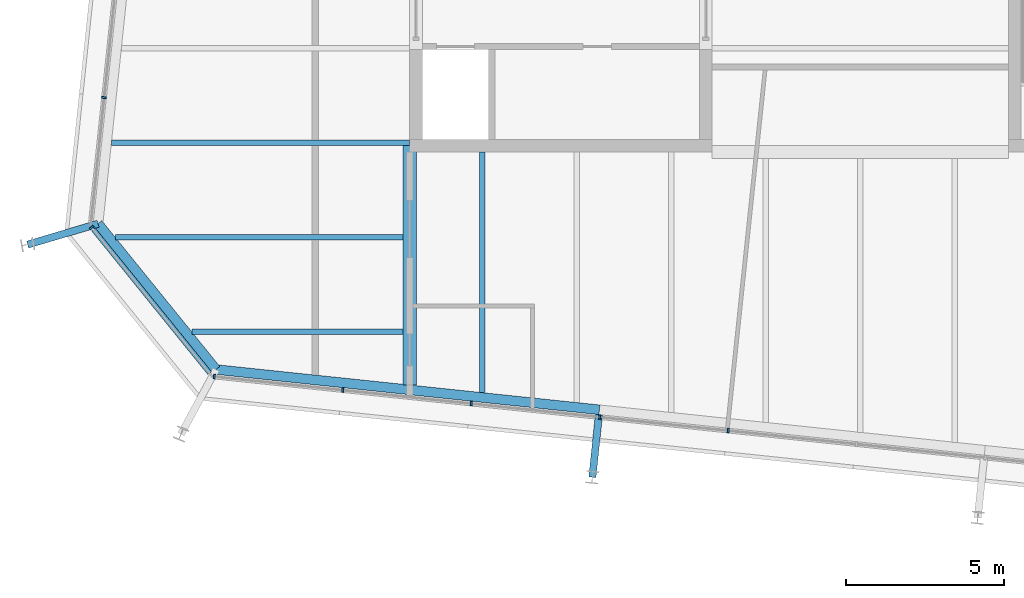
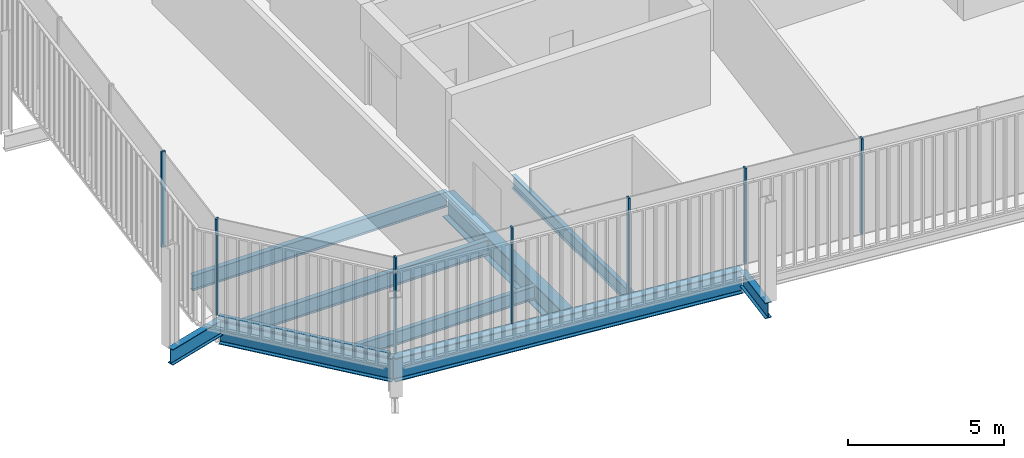
# One storey, part 3 of 20: 9 beams, 8 members, 3 elements without a shape of their own.
"""IFC4 building model written with IfcOpenShell, lengths in metres."""

from ifc_helpers import new_model, si_unit, direction, frame, origin, origin_2d, place, context, subcontext, project, spatial, rectangle, i_section, extrude, material, layer, layer_set, material_profile, profile_set, type_object, element, aggregate, save


model = new_model("IFC4")

# Units and contexts
model_context = context("Model", 3, precision=1e-05, world=origin(), true_north=direction((0.0, 1.0)))
body_context = subcontext(model_context, "Body", "Model", "MODEL_VIEW")
ifc_project = project(units=[si_unit("LENGTHUNIT", "METRE"), si_unit("AREAUNIT", "SQUARE_METRE"), si_unit("VOLUMEUNIT", "CUBIC_METRE"), si_unit("PLANEANGLEUNIT", "RADIAN"), si_unit("MASSUNIT", "GRAM", prefix="KILO")], contexts=[model_context])

# Site, building, storey
site_placement = place(None, origin())
site = spatial("IfcSite", under=ifc_project, at=site_placement, CompositionType="ELEMENT")
building_placement = place(site_placement, origin())
building = spatial("IfcBuilding", under=site, at=building_placement, Name="Millrace Tower", CompositionType="ELEMENT")
storey_placement = place(building_placement, frame((0.0, 0.0, 279.89990234375)))
storey = spatial("IfcBuildingStorey", under=building, at=storey_placement, Name="L64", CompositionType="ELEMENT", Elevation=279.89990234375)

# Curtain wall, member
ifc_material_1 = material(Name="Aluminium and glass", Category="aluminium")
ifc_layer = layer(ifc_material_1, 0.14990234375)
ifc_layer_set = layer_set([ifc_layer], Name="Aluminium and glass")
curtain_wall_type = type_object("IfcCurtainWallType", Name="CW-1 office vision curtain wall", PredefinedType="NOTDEFINED", material=ifc_layer_set)
placement = place(storey_placement, origin())
curtain_wall_1 = element("IfcCurtainWall", 1, at=placement, inside=storey, type_object=curtain_wall_type, Name="Curtain wall E-F01 L64", PredefinedType="NOTDEFINED")
ifc_material_2 = material(Name="Aluminium", Category="aluminium")
ifc_material_profile_1 = material_profile(ifc_material_2, rectangle(XDim=0.06494140625, YDim=0.14990234375, at=origin_2d()))
ifc_profile_set_1 = profile_set([ifc_material_profile_1], Name="Aluminium")
member_type_1 = type_object("IfcMemberType", Name="CW-1 office vision curtain wall mullion", PredefinedType="MULLION", material=ifc_profile_set_1)
member_1_placement = place(storey_placement, frame((-24.391845703125, -11.693359375, 0.14013671875), z_axis=(0.0, 0.0, 1.0), x_axis=(0.629320278945, -0.777146052237, 0.0)))
member_1 = element("IfcMember", 2, at=member_1_placement, type_object=member_type_1, Name="CW1 mullion E-F01.1", PredefinedType="MULLION", context=body_context, shape_type="SweptSolid", body=[
    extrude(rectangle(XDim=0.06494140625, YDim=0.14990234375, at=origin_2d()), origin(), (0.0, 0.0, 1.0), 3.760009765625),
])

# Curtain wall, members
curtain_wall_2 = element("IfcCurtainWall", 3, at=placement, inside=storey, type_object=curtain_wall_type, Name="Curtain wall E-F02 L64", PredefinedType="NOTDEFINED")
member_2_placement = place(storey_placement, frame((-20.50244140625, -16.4248046875, 0.14013671875), z_axis=(0.0, 0.0, 1.0), x_axis=(0.994521896217, -0.104528455196, 0.0)))
member_2 = element("IfcMember", 4, at=member_2_placement, type_object=member_type_1, Name="CW1 mullion E-F02.1", PredefinedType="MULLION", context=body_context, shape_type="SweptSolid", body=[
    extrude(rectangle(XDim=0.06494140625, YDim=0.14990234375, at=origin_2d()), origin(), (0.0, 0.0, 1.0), 3.760009765625),
])
member_3_placement = place(storey_placement, frame((-16.425048828125, -16.853271484375, 0.14013671875), z_axis=(0.0, 0.0, 1.0), x_axis=(0.994521896217, -0.104528455196, 0.0)))
member_3 = element("IfcMember", 5, at=member_3_placement, type_object=member_type_1, Name="CW1 mullion E-F02.2", PredefinedType="MULLION", context=body_context, shape_type="SweptSolid", body=[
    extrude(rectangle(XDim=0.06494140625, YDim=0.14990234375, at=origin_2d()), origin(), (0.0, 0.0, 1.0), 3.760009765625),
])
member_4_placement = place(storey_placement, frame((-12.347412109375, -17.281982421875, 0.14013671875), z_axis=(0.0, 0.0, 1.0), x_axis=(0.994521896217, -0.104528455196, 0.0)))
member_4 = element("IfcMember", 6, at=member_4_placement, type_object=member_type_1, Name="CW1 mullion E-F02.3", PredefinedType="MULLION", context=body_context, shape_type="SweptSolid", body=[
    extrude(rectangle(XDim=0.06494140625, YDim=0.14990234375, at=origin_2d()), origin(), (0.0, 0.0, 1.0), 3.760009765625),
])
member_5_placement = place(storey_placement, frame((-8.269775390625, -17.71044921875, 0.14013671875), z_axis=(0.0, 0.0, 1.0), x_axis=(0.994521896217, -0.104528455196, 0.0)))
member_5 = element("IfcMember", 7, at=member_5_placement, type_object=member_type_1, Name="CW1 mullion E-F02.4", PredefinedType="MULLION", context=body_context, shape_type="SweptSolid", body=[
    extrude(rectangle(XDim=0.06494140625, YDim=0.14990234375, at=origin_2d()), origin(), (0.0, 0.0, 1.0), 3.760009765625),
])
member_6_placement = place(storey_placement, frame((-4.1923828125, -18.13916015625, 0.14013671875), z_axis=(0.0, 0.0, 1.0), x_axis=(0.994521896217, -0.104528455196, 0.0)))
member_6 = element("IfcMember", 8, at=member_6_placement, type_object=member_type_1, Name="CW1 mullion E-F02.5", PredefinedType="MULLION", context=body_context, shape_type="SweptSolid", body=[
    extrude(rectangle(XDim=0.06494140625, YDim=0.14990234375, at=origin_2d()), origin(), (0.0, 0.0, 1.0), 3.760009765625),
])
aggregate(curtain_wall_2, [member_2, member_3, member_4, member_5, member_6])

# Curtain wall, member
curtain_wall_3 = element("IfcCurtainWall", 9, at=placement, inside=storey, type_object=curtain_wall_type, Name="Curtain wall E-F08 L64", PredefinedType="NOTDEFINED")
member_7_placement = place(storey_placement, frame((-24.00341796875, -7.56787109375, 0.14013671875), z_axis=(0.0, 0.0, 1.0), x_axis=(-0.104528455196, -0.994521896217, 0.0)))
member_7 = element("IfcMember", 10, at=member_7_placement, type_object=member_type_1, Name="CW1 mullion E-F08.9", PredefinedType="MULLION", context=body_context, shape_type="SweptSolid", body=[
    extrude(rectangle(XDim=0.06494140625, YDim=0.14990234375, at=origin_2d()), origin(), (0.0, 0.0, 1.0), 3.760009765625),
])
aggregate(curtain_wall_3, [member_7])

# Member
ifc_material_3 = material(Name="Aluminium", Category="aluminium")
ifc_material_profile_2 = material_profile(ifc_material_3, rectangle(XDim=0.14990234375, YDim=0.139892578125, at=origin_2d()))
ifc_profile_set_2 = profile_set([ifc_material_profile_2], Name="Aluminium")
member_type_2 = type_object("IfcMemberType", Name="CW-1 office vision curtain wall transom", PredefinedType="USERDEFINED", material=ifc_profile_set_2)
member_8_placement = place(storey_placement, frame((-24.349365234375, -11.745849609375, 0.070068359375), z_axis=(0.629321221277, -0.777145289151, 0.0), x_axis=(0.777145289151, 0.629321221277, 0.0)))
member_8 = element("IfcMember", 11, at=member_8_placement, type_object=member_type_2, Name="CW1 transom E-F01.1", ObjectType="TRANSOM", PredefinedType="USERDEFINED", context=body_context, shape_type="SweptSolid", body=[
    extrude(rectangle(XDim=0.14990234375, YDim=0.139892578125, at=origin_2d()), origin(), (0.0, 0.0, 1.0), 5.881103515625),
])

aggregate(curtain_wall_1, [member_1, member_8])

# Beams
ifc_material_4 = material(Name="Steel ASTM A992 Grade 50", Category="steel")
ifc_material_profile_3 = material_profile(ifc_material_4, i_section(OverallWidth=0.1650390625, OverallDepth=0.52587890625, WebThickness=0.0087890625, FlangeThickness=0.011474609375, FilletRadius=0.0126953125, at=origin_2d()))
ifc_profile_set_3 = profile_set([ifc_material_profile_3], Name="Steel ASTM A992 Grade 50")
beam_type_1 = type_object("IfcBeamType", Name="Floor beam W21x44", PredefinedType="JOIST", material=ifc_profile_set_3)
beam_1_placement = place(storey_placement, frame((-12.0, -16.93408203125, -0.4228515625), z_axis=(0.0, 1.0, 0.0), x_axis=(-1.0, 0.0, 0.0)))
element("IfcBeam", 12, at=beam_1_placement, inside=storey, type_object=beam_type_1, Name="BM-E-L64-S1-S037", PredefinedType="JOIST", context=body_context, shape_type="SweptSolid", body=[
    extrude(i_section(OverallWidth=0.1650390625, OverallDepth=0.52587890625, WebThickness=0.0087890625, FlangeThickness=0.011474609375, FilletRadius=0.0126953125, at=origin_2d()), origin(), (0.0, 0.0, 1.0), 7.634033203125),
])
beam_2_placement = place(storey_placement, frame((-21.214111328125, -15.0, -0.4228515625), z_axis=(1.0, 0.0, 0.0), x_axis=(0.0, 1.0, 0.0)))
element("IfcBeam", 13, at=beam_2_placement, inside=storey, type_object=beam_type_1, Name="BM-E-L64-S1-S002", PredefinedType="JOIST", context=body_context, shape_type="SweptSolid", body=[
    extrude(i_section(OverallWidth=0.1650390625, OverallDepth=0.52587890625, WebThickness=0.0087890625, FlangeThickness=0.011474609375, FilletRadius=0.0126953125, at=origin_2d()), origin(), (0.0, 0.0, 1.0), 6.70458984375),
])
ifc_material_5 = material(Name="Steel ASTM A992 Grade 50", Category="steel")
ifc_material_profile_4 = material_profile(ifc_material_5, i_section(OverallWidth=0.177978515625, OverallDepth=0.599365234375, WebThickness=0.010009765625, FlangeThickness=0.012939453125, FilletRadius=0.012939453125, at=origin_2d()))
ifc_profile_set_4 = profile_set([ifc_material_profile_4], Name="Steel ASTM A992 Grade 50")
beam_type_2 = type_object("IfcBeamType", Name="Floor beam W24x55", PredefinedType="JOIST", material=ifc_profile_set_4)
beam_3_placement = place(storey_placement, frame((-23.76953125, -9.0, -0.459716796875), z_axis=(1.0, 0.0, 0.0), x_axis=(0.0, 1.0, 0.0)))
element("IfcBeam", 14, at=beam_3_placement, inside=storey, type_object=beam_type_2, Name="BM-E-L64-S1-S006", PredefinedType="JOIST", context=body_context, shape_type="SweptSolid", body=[
    extrude(i_section(OverallWidth=0.177978515625, OverallDepth=0.599365234375, WebThickness=0.010009765625, FlangeThickness=0.012939453125, FilletRadius=0.012939453125, at=origin_2d()), origin(), (0.0, 0.0, 1.0), 9.469482421875),
])
beam_4_placement = place(storey_placement, frame((-23.635498046875, -12.0, -0.459716796875), z_axis=(1.0, 0.0, 0.0), x_axis=(0.0, 1.0, 0.0)))
element("IfcBeam", 15, at=beam_4_placement, inside=storey, type_object=beam_type_2, Name="BM-E-L64-S1-S004", PredefinedType="JOIST", context=body_context, shape_type="SweptSolid", body=[
    extrude(i_section(OverallWidth=0.177978515625, OverallDepth=0.599365234375, WebThickness=0.010009765625, FlangeThickness=0.012939453125, FilletRadius=0.012939453125, at=origin_2d()), origin(), (0.0, 0.0, 1.0), 9.1259765625),
])
ifc_material_6 = material(Name="Steel ASTM A992 Grade 50", Category="steel")
ifc_material_profile_5 = material_profile(ifc_material_6, i_section(OverallWidth=0.419189453125, OverallDepth=0.927001953125, WebThickness=0.019287109375, FlangeThickness=0.031982421875, FilletRadius=0.024169921875, at=origin_2d()))
ifc_profile_set_5 = profile_set([ifc_material_profile_5], Name="Steel ASTM A992 Grade 50")
beam_type_3 = type_object("IfcBeamType", Name="Girder short span W36x231", PredefinedType="BEAM", material=ifc_profile_set_5)
beam_5_placement = place(storey_placement, frame((-14.300048828125, -16.6923828125, -0.62353515625), z_axis=(0.0, 1.0, 0.0), x_axis=(-1.0, 0.0, 0.0)))
element("IfcBeam", 16, at=beam_5_placement, inside=storey, type_object=beam_type_3, Name="BM-E-L64-S1-G055", PredefinedType="BEAM", context=body_context, shape_type="SweptSolid", body=[
    extrude(i_section(OverallWidth=0.419189453125, OverallDepth=0.927001953125, WebThickness=0.019287109375, FlangeThickness=0.031982421875, FilletRadius=0.024169921875, at=origin_2d()), origin(), (0.0, 0.0, 1.0), 7.600341796875),
])
ifc_material_7 = material(Name="Steel ASTM A992 Grade 50", Category="steel")
ifc_material_profile_6 = material_profile(ifc_material_7, i_section(OverallWidth=0.23046875, OverallDepth=0.6171875, WebThickness=0.01318359375, FlangeThickness=0.022216796875, FilletRadius=0.012939453125, at=origin_2d()))
ifc_profile_set_6 = profile_set([ifc_material_profile_6], Name="Steel ASTM A992 Grade 50")
beam_type_4 = type_object("IfcBeamType", Name="Link beam W24x94", PredefinedType="BEAM", material=ifc_profile_set_6)
beam_6_placement = place(storey_placement, frame((-24.1943359375, -11.57373046875, -0.468505859375), z_axis=(-0.958815015936, -0.284031275065, 0.0), x_axis=(0.284031275065, -0.958815015936, 0.0)))
element("IfcBeam", 17, at=beam_6_placement, inside=storey, type_object=beam_type_4, Name="LNK-E-L64-S1-01", PredefinedType="BEAM", context=body_context, shape_type="SweptSolid", body=[
    extrude(i_section(OverallWidth=0.23046875, OverallDepth=0.6171875, WebThickness=0.01318359375, FlangeThickness=0.022216796875, FilletRadius=0.012939453125, at=origin_2d()), origin(), (0.0, 0.0, 1.0), 2.3310546875),
])
beam_7_placement = place(storey_placement, frame((-8.29443359375, -17.632568359375, -0.468505859375), z_axis=(-0.104494148666, -0.99452550138, 0.0), x_axis=(0.99452550138, -0.104494148666, 0.0)))
element("IfcBeam", 18, at=beam_7_placement, inside=storey, type_object=beam_type_4, Name="LNK-E-L64-S1-15", PredefinedType="BEAM", context=body_context, shape_type="SweptSolid", body=[
    extrude(i_section(OverallWidth=0.23046875, OverallDepth=0.6171875, WebThickness=0.01318359375, FlangeThickness=0.022216796875, FilletRadius=0.012939453125, at=origin_2d()), origin(), (0.0, 0.0, 1.0), 2.0),
])
ifc_material_8 = material(Name="Steel ASTM A992 Grade 50", Category="steel")
ifc_material_profile_7 = material_profile(ifc_material_8, i_section(OverallWidth=0.307373046875, OverallDepth=0.927001953125, WebThickness=0.01953125, FlangeThickness=0.031982421875, FilletRadius=0.01904296875, at=origin_2d()))
ifc_profile_set_7 = profile_set([ifc_material_profile_7], Name="Steel ASTM A992 Grade 50")
beam_type_5 = type_object("IfcBeamType", Name="Ring beam medium span W36x194", PredefinedType="SPANDREL", material=ifc_profile_set_7)
beam_8_placement = place(storey_placement, frame((-8.2783203125, -17.479736328125, -0.62353515625), z_axis=(-0.994521730693, 0.104530030035, 0.0), x_axis=(-0.104530030035, -0.994521730693, 0.0)))
element("IfcBeam", 19, at=beam_8_placement, inside=storey, type_object=beam_type_5, Name="RNG-E-L64-S1-15", PredefinedType="SPANDREL", context=body_context, shape_type="SweptSolid", body=[
    extrude(i_section(OverallWidth=0.307373046875, OverallDepth=0.927001953125, WebThickness=0.01953125, FlangeThickness=0.031982421875, FilletRadius=0.01904296875, at=origin_2d()), origin(), (0.0, 0.0, 1.0), 12.236328125),
])
ifc_material_9 = material(Name="Steel ASTM A992 Grade 50", Category="steel")
ifc_material_profile_8 = material_profile(ifc_material_9, i_section(OverallWidth=0.307373046875, OverallDepth=0.927001953125, WebThickness=0.01953125, FlangeThickness=0.031982421875, FilletRadius=0.01904296875, at=origin_2d()))
ifc_profile_set_8 = profile_set([ifc_material_profile_8], Name="Steel ASTM A992 Grade 50")
beam_type_6 = type_object("IfcBeamType", Name="Ring beam short span W36x194", PredefinedType="SPANDREL", material=ifc_profile_set_8)
beam_9_placement = place(storey_placement, frame((-20.447509765625, -16.20068359375, -0.62353515625), z_axis=(-0.629319722443, 0.777146502883, 0.0), x_axis=(-0.777146502883, -0.629319722443, 0.0)))
element("IfcBeam", 20, at=beam_9_placement, inside=storey, type_object=beam_type_6, Name="RNG-E-L64-S1-16", PredefinedType="SPANDREL", context=body_context, shape_type="SweptSolid", body=[
    extrude(i_section(OverallWidth=0.307373046875, OverallDepth=0.927001953125, WebThickness=0.01953125, FlangeThickness=0.031982421875, FilletRadius=0.01904296875, at=origin_2d()), origin(), (0.0, 0.0, 1.0), 5.953857421875),
])

save(model, "model.ifc")
